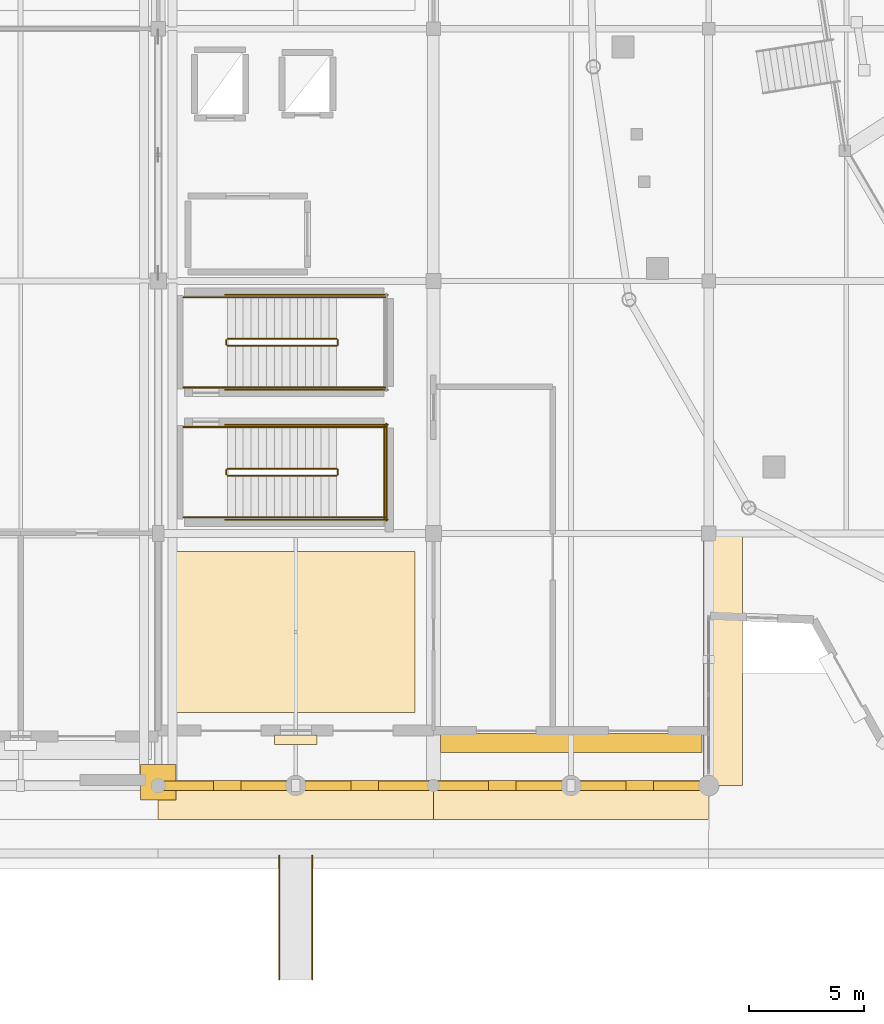
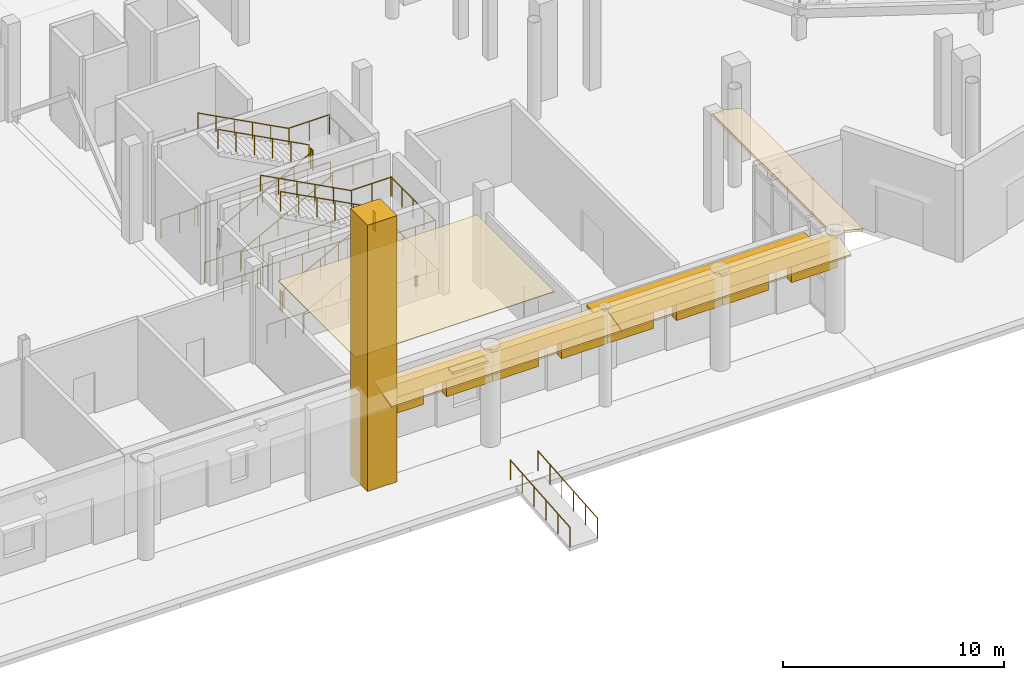
# One storey, part 96 of 120: 28 railings, 18 coverings, 1 shading device.
"""IFC4 building model written with IfcOpenShell, lengths in metres."""

from ifc_helpers import new_model, si_unit, direction, frame, origin, origin_2d, place, context, subcontext, project, spatial, polyline, rectangle, circle, outline, extrude, material, layer, layer_set, type_object, element, save


model = new_model("IFC4")

# Units and contexts
model_context = context("Model", 3, precision=1e-05, world=origin(), true_north=direction((0.0, 1.0)))
body_context = subcontext(model_context, "Body", "Model", "MODEL_VIEW")
ifc_project = project(units=[si_unit("LENGTHUNIT", "METRE"), si_unit("AREAUNIT", "SQUARE_METRE"), si_unit("VOLUMEUNIT", "CUBIC_METRE"), si_unit("PLANEANGLEUNIT", "RADIAN"), si_unit("MASSUNIT", "GRAM", prefix="KILO")], contexts=[model_context])

# Site, building, storey
site_placement = place(None, origin())
site = spatial("IfcSite", under=ifc_project, at=site_placement, CompositionType="ELEMENT")
building_placement = place(site_placement, origin())
building = spatial("IfcBuilding", under=site, at=building_placement, Name="Luwafu Chhajja Arena", CompositionType="ELEMENT")
storey_placement = place(building_placement, origin())
storey = spatial("IfcBuildingStorey", under=building, at=storey_placement, Name="L00", CompositionType="ELEMENT", Elevation=0.0)

# Coverings
ifc_material_1 = material(Name="Red laterite sandstone cladding", Category="masonry")
ifc_layer_1 = layer(ifc_material_1, 0.074951171875, Name="Red laterite sandstone cladding")
ifc_layer_set_1 = layer_set([ifc_layer_1], Name="Red laterite sandstone cladding")
covering_type_1 = type_object("IfcCoveringType", Name="Dressed Red-Laterite Sandstone Cladding", PredefinedType="CLADDING", material=ifc_layer_set_1)
covering_1_placement = place(storey_placement, frame((34.0, 0.14990234375, 0.0), z_axis=(0.0, 0.0, 1.0), x_axis=(1.0, 0.0, 0.0)))
element("IfcCovering", 1, at=covering_1_placement, inside=storey, type_object=covering_type_1, Name="Pishtaq E Guldasta Sandstone Corner Pilaster", PredefinedType="CLADDING", context=body_context, shape_type="SweptSolid", body=[
    extrude(rectangle(XDim=1.550048828125, YDim=1.550048828125, at=origin_2d()), origin(), (0.0, 0.0, 1.0), 14.699951171875),
])
covering_2_placement = place(storey_placement, frame((37.0, 0.0, 4.33984375), z_axis=(0.0, 0.0, 1.0), x_axis=(1.0, 0.0, 0.0)))
element("IfcCovering", 2, at=covering_2_placement, inside=storey, type_object=covering_type_1, Name="L00 Mughal Riwaq Arcade Arch Frieze SLW-01", PredefinedType="CLADDING", context=body_context, shape_type="SweptSolid", body=[
    extrude(rectangle(XDim=6.0, YDim=0.43994140625, at=origin_2d()), origin(), (0.0, 0.0, 1.0), 0.719970703125),
])
for number, where, z_axis, x_axis, name in (
    (3, (35.199951171875, 0.0, 3.43994140625), (0.0, 0.0, 1.0), (1.0, 0.0, 0.0), "L00 Mughal Riwaq Corbelled Arch Haunch SLW-01A"),
    (4, (38.800048828125, 0.0, 3.43994140625), (0.0, 0.0, 1.0), (1.0, 0.0, 0.0), "L00 Mughal Riwaq Corbelled Arch Haunch SLW-01B"),
):
    element("IfcCovering", number, at=place(storey_placement, frame(where, z_axis=z_axis, x_axis=x_axis)), inside=storey, type_object=covering_type_1, Name=name, PredefinedType="CLADDING", context=body_context, shape_type="SweptSolid", body=[
        extrude(rectangle(XDim=2.39990234375, YDim=0.39990234375, at=origin_2d()), origin(), (0.0, 0.0, 1.0), 0.9599609375),
    ])
covering_3_placement = place(storey_placement, frame((43.0, 0.0, 4.33984375), z_axis=(0.0, 0.0, 1.0), x_axis=(1.0, 0.0, 0.0)))
element("IfcCovering", 5, at=covering_3_placement, inside=storey, type_object=covering_type_1, Name="L00 Mughal Riwaq Arcade Arch Frieze SLW-02", PredefinedType="CLADDING", context=body_context, shape_type="SweptSolid", body=[
    extrude(rectangle(XDim=6.0, YDim=0.43994140625, at=origin_2d()), origin(), (0.0, 0.0, 1.0), 0.719970703125),
])
for number, where, z_axis, x_axis, name in (
    (6, (41.199951171875, 0.0, 3.43994140625), (0.0, 0.0, 1.0), (1.0, 0.0, 0.0), "L00 Mughal Riwaq Corbelled Arch Haunch SLW-02A"),
    (7, (44.800048828125, 0.0, 3.43994140625), (0.0, 0.0, 1.0), (1.0, 0.0, 0.0), "L00 Mughal Riwaq Corbelled Arch Haunch SLW-02B"),
):
    element("IfcCovering", number, at=place(storey_placement, frame(where, z_axis=z_axis, x_axis=x_axis)), inside=storey, type_object=covering_type_1, Name=name, PredefinedType="CLADDING", context=body_context, shape_type="SweptSolid", body=[
        extrude(rectangle(XDim=2.39990234375, YDim=0.39990234375, at=origin_2d()), origin(), (0.0, 0.0, 1.0), 0.9599609375),
    ])
covering_4_placement = place(storey_placement, frame((49.0, 0.0, 4.33984375), z_axis=(0.0, 0.0, 1.0), x_axis=(1.0, 0.0, 0.0)))
element("IfcCovering", 8, at=covering_4_placement, inside=storey, type_object=covering_type_1, Name="L00 Mughal Riwaq Arcade Arch Frieze SLW-03", PredefinedType="CLADDING", context=body_context, shape_type="SweptSolid", body=[
    extrude(rectangle(XDim=6.0, YDim=0.43994140625, at=origin_2d()), origin(), (0.0, 0.0, 1.0), 0.719970703125),
])
for number, where, z_axis, x_axis, name in (
    (9, (47.199951171875, 0.0, 3.43994140625), (0.0, 0.0, 1.0), (1.0, 0.0, 0.0), "L00 Mughal Riwaq Corbelled Arch Haunch SLW-03A"),
    (10, (50.800048828125, 0.0, 3.43994140625), (0.0, 0.0, 1.0), (1.0, 0.0, 0.0), "L00 Mughal Riwaq Corbelled Arch Haunch SLW-03B"),
):
    element("IfcCovering", number, at=place(storey_placement, frame(where, z_axis=z_axis, x_axis=x_axis)), inside=storey, type_object=covering_type_1, Name=name, PredefinedType="CLADDING", context=body_context, shape_type="SweptSolid", body=[
        extrude(rectangle(XDim=2.39990234375, YDim=0.39990234375, at=origin_2d()), origin(), (0.0, 0.0, 1.0), 0.9599609375),
    ])
covering_5_placement = place(storey_placement, frame((55.0, 0.0, 4.33984375), z_axis=(0.0, 0.0, 1.0), x_axis=(1.0, 0.0, 0.0)))
element("IfcCovering", 11, at=covering_5_placement, inside=storey, type_object=covering_type_1, Name="L00 Mughal Riwaq Arcade Arch Frieze SLW-04", PredefinedType="CLADDING", context=body_context, shape_type="SweptSolid", body=[
    extrude(rectangle(XDim=6.0, YDim=0.43994140625, at=origin_2d()), origin(), (0.0, 0.0, 1.0), 0.719970703125),
])
for number, where, z_axis, x_axis, name in (
    (12, (53.199951171875, 0.0, 3.43994140625), (0.0, 0.0, 1.0), (1.0, 0.0, 0.0), "L00 Mughal Riwaq Corbelled Arch Haunch SLW-04A"),
    (13, (56.800048828125, 0.0, 3.43994140625), (0.0, 0.0, 1.0), (1.0, 0.0, 0.0), "L00 Mughal Riwaq Corbelled Arch Haunch SLW-04B"),
):
    element("IfcCovering", number, at=place(storey_placement, frame(where, z_axis=z_axis, x_axis=x_axis)), inside=storey, type_object=covering_type_1, Name=name, PredefinedType="CLADDING", context=body_context, shape_type="SweptSolid", body=[
        extrude(rectangle(XDim=2.39990234375, YDim=0.39990234375, at=origin_2d()), origin(), (0.0, 0.0, 1.0), 0.9599609375),
    ])
for number, where, z_axis, x_axis, name in (
    (14, (34.0, 0.199951171875, 5.360107421875), (0.0, -0.242635142566, 0.970117615339), (1.0, 0.0, 0.0), "L00 Continuous Sloped Sandstone Chhajja Eave 0016"),
    (15, (46.0, 0.199951171875, 5.360107421875), (0.0, -0.242635142566, 0.970117615339), (1.0, 0.0, 0.0), "L00 Continuous Sloped Sandstone Chhajja Eave 0021"),
):
    element("IfcCovering", number, at=place(storey_placement, frame(where, z_axis=z_axis, x_axis=x_axis)), inside=storey, type_object=covering_type_1, Name=name, PredefinedType="CLADDING", context=body_context, shape_type="SweptSolid", body=[
        extrude(outline(polyline([(0.0, 0.0), (12.0, 0.0), (12.0, -1.7316783182390405), (0.0, -1.7316783182390405), (0.0, 0.0)])), origin(), (0.0, 0.0, -1.0), 0.1298828125),
    ])
covering_6_placement = place(storey_placement, frame((57.800048828125, 0.0, 5.360107421875), z_axis=(0.242635142566, 0.0, 0.970117615339), x_axis=(0.0, 1.0, 0.0)))
element("IfcCovering", 16, at=covering_6_placement, inside=storey, type_object=covering_type_1, Name="L00 Continuous Sloped Sandstone Chhajja Eave 0022", PredefinedType="CLADDING", context=body_context, shape_type="SweptSolid", body=[
    extrude(outline(polyline([(0.0, 0.0), (11.0, 0.0), (11.0, -1.7316783182390405), (0.0, -1.7316783182390405), (0.0, 0.0)])), origin(), (0.0, 0.0, -1.0), 0.1298828125),
])
covering_7_placement = place(storey_placement, frame((40.0, 2.0, 2.93017578125), z_axis=(0.0, 0.0, 1.0), x_axis=(1.0, 0.0, 0.0)))
element("IfcCovering", 17, at=covering_7_placement, inside=storey, type_object=covering_type_1, Name="L00 Mughal Sandstone Window Chhajja Hood 0153", PredefinedType="CLADDING", context=body_context, shape_type="SweptSolid", body=[
    extrude(rectangle(XDim=1.85009765625, YDim=0.419921875, at=origin_2d()), origin(), (0.0, 0.0, 1.0), 0.139892578125),
])
ifc_material_2 = material(Name="Acoustic gypsum ceiling board")
ifc_layer_2 = layer(ifc_material_2, 0.0400390625, Name="Acoustic gypsum ceiling board")
ifc_layer_set_2 = layer_set([ifc_layer_2], Name="Acoustic gypsum ceiling board")
covering_type_2 = type_object("IfcCoveringType", Name="Perforated Acoustic Baffle Ceiling", PredefinedType="CEILING", material=ifc_layer_set_2)
covering_8_placement = place(storey_placement, frame((0.0, 0.0, 4.499267578125)))
element("IfcCovering", 18, at=covering_8_placement, inside=storey, type_object=covering_type_2, Name="L00 Acoustic Baffle Ceiling 004", PredefinedType="CEILING", context=body_context, shape_type="SweptSolid", body=[
    extrude(outline(polyline([(34.800048828125, 3.199951171875), (45.199951171875, 3.199951171875), (45.199951171875, 10.199951171875), (34.800048828125, 10.199951171875), (34.800048828125, 3.199951171875)])), origin(), (0.0, 0.0, 1.0), 0.0400390625),
])

# Shading device
ifc_material_3 = material(Name="Red laterite sandstone chhajja", Category="masonry")
ifc_layer_3 = layer(ifc_material_3, 0.1201171875, Name="Red laterite sandstone chhajja")
ifc_layer_set_3 = layer_set([ifc_layer_3], Name="Red laterite sandstone chhajja")
shading_device_type = type_object("IfcShadingDeviceType", Name="Sloped Red-Sandstone Chhajja Eave", PredefinedType="USERDEFINED", material=ifc_layer_set_3)
shading_device_placement = place(storey_placement, frame((52.0, 1.860107421875, 3.8798828125), z_axis=(0.0, 0.0, 1.0), x_axis=(1.0, 0.0, 0.0)))
element("IfcShadingDevice", 19, at=shading_device_placement, inside=storey, type_object=shading_device_type, Name="L00 Sloped Red-Sandstone Chhajja Eave 011", ObjectType="CHHAJJA", PredefinedType="USERDEFINED", context=body_context, shape_type="SweptSolid", body=[
    extrude(rectangle(XDim=11.39990234375, YDim=0.820068359375, at=origin_2d()), origin(), (0.0, 0.0, 1.0), 0.1201171875),
])

# Railings
ifc_material_4 = material(Name="Stainless steel handrail", Category="steel")
railing_type_1 = type_object("IfcRailingType", Name="Stair Pitch Wall Handrail 920", PredefinedType="HANDRAIL", material=ifc_material_4)
railing_1_placement = place(storey_placement, frame((37.02001953125, 11.699951171875, 0.179931640625)))
element("IfcRailing", 20, at=railing_1_placement, inside=storey, type_object=railing_type_1, Name="L00 ST-01 stair handrail 1", PredefinedType="HANDRAIL", context=body_context, shape_type="SweptSolid", body=[
    extrude(circle(Radius=0.02392578125, at=origin_2d()), frame((0.0, 0.0, 0.8759765625), z_axis=(0.883786813738, 0.0, 0.467889803119), x_axis=(0.0, 1.0, 0.0)), (0.0, 0.0, 1.0), 5.385986328125),
    extrude(circle(Radius=0.02099609375, at=origin_2d()), origin(), (0.0, 0.0, 1.0), 0.851806640625),
    extrude(circle(Radius=0.02099609375, at=origin_2d()), frame((0.951904296875, 0.0, 0.50390625)), (0.0, 0.0, 1.0), 0.851806640625),
    extrude(circle(Radius=0.02099609375, at=origin_2d()), frame((1.904052734375, 0.0, 1.008056640625)), (0.0, 0.0, 1.0), 0.851806640625),
    extrude(circle(Radius=0.02099609375, at=origin_2d()), frame((2.85595703125, 0.0, 1.511962890625)), (0.0, 0.0, 1.0), 0.851806640625),
    extrude(circle(Radius=0.02099609375, at=origin_2d()), frame((3.80810546875, 0.0, 2.01611328125)), (0.0, 0.0, 1.0), 0.851806640625),
    extrude(circle(Radius=0.02099609375, at=origin_2d()), frame((4.760009765625, 0.0, 2.52001953125)), (0.0, 0.0, 1.0), 0.851806640625),
])
railing_2_placement = place(storey_placement, frame((41.780029296875, 15.639892578125, 2.8798828125)))
element("IfcRailing", 21, at=railing_2_placement, inside=storey, type_object=railing_type_1, Name="L00 ST-01 stair handrail 2", PredefinedType="HANDRAIL", context=body_context, shape_type="SweptSolid", body=[
    extrude(circle(Radius=0.02392578125, at=origin_2d()), frame((0.0, 0.0, 0.8759765625), z_axis=(-0.883786813738, 0.0, 0.467889803119), x_axis=(0.0, -1.0, 0.0)), (0.0, 0.0, 1.0), 5.385986328125),
    extrude(circle(Radius=0.02099609375, at=origin_2d()), origin(), (0.0, 0.0, 1.0), 0.851806640625),
    extrude(circle(Radius=0.02099609375, at=origin_2d()), frame((-0.951904296875, 0.0, 0.50390625)), (0.0, 0.0, 1.0), 0.851806640625),
    extrude(circle(Radius=0.02099609375, at=origin_2d()), frame((-1.904052734375, 0.0, 1.008056640625)), (0.0, 0.0, 1.0), 0.851806640625),
    extrude(circle(Radius=0.02099609375, at=origin_2d()), frame((-2.85595703125, 0.0, 1.511962890625)), (0.0, 0.0, 1.0), 0.851806640625),
    extrude(circle(Radius=0.02099609375, at=origin_2d()), frame((-3.80810546875, 0.0, 2.01611328125)), (0.0, 0.0, 1.0), 0.851806640625),
    extrude(circle(Radius=0.02099609375, at=origin_2d()), frame((-4.760009765625, 0.0, 2.52001953125)), (0.0, 0.0, 1.0), 0.851806640625),
])
railing_3_placement = place(storey_placement, frame((37.02001953125, 17.360107421875, 0.179931640625)))
element("IfcRailing", 22, at=railing_3_placement, inside=storey, type_object=railing_type_1, Name="L00 ST-02 stair handrail 1", PredefinedType="HANDRAIL", context=body_context, shape_type="SweptSolid", body=[
    extrude(circle(Radius=0.02392578125, at=origin_2d()), frame((0.0, 0.0, 0.8759765625), z_axis=(0.883786813738, 0.0, 0.467889803119), x_axis=(0.0, 1.0, 0.0)), (0.0, 0.0, 1.0), 5.385986328125),
    extrude(circle(Radius=0.02099609375, at=origin_2d()), origin(), (0.0, 0.0, 1.0), 0.851806640625),
    extrude(circle(Radius=0.02099609375, at=origin_2d()), frame((0.951904296875, 0.0, 0.50390625)), (0.0, 0.0, 1.0), 0.851806640625),
    extrude(circle(Radius=0.02099609375, at=origin_2d()), frame((1.904052734375, 0.0, 1.008056640625)), (0.0, 0.0, 1.0), 0.851806640625),
    extrude(circle(Radius=0.02099609375, at=origin_2d()), frame((2.85595703125, 0.0, 1.511962890625)), (0.0, 0.0, 1.0), 0.851806640625),
    extrude(circle(Radius=0.02099609375, at=origin_2d()), frame((3.80810546875, 0.0, 2.01611328125)), (0.0, 0.0, 1.0), 0.851806640625),
    extrude(circle(Radius=0.02099609375, at=origin_2d()), frame((4.760009765625, 0.0, 2.52001953125)), (0.0, 0.0, 1.0), 0.851806640625),
])
railing_4_placement = place(storey_placement, frame((41.780029296875, 21.300048828125, 2.8798828125)))
element("IfcRailing", 23, at=railing_4_placement, inside=storey, type_object=railing_type_1, Name="L00 ST-02 stair handrail 2", PredefinedType="HANDRAIL", context=body_context, shape_type="SweptSolid", body=[
    extrude(circle(Radius=0.02392578125, at=origin_2d()), frame((0.0, 0.0, 0.8759765625), z_axis=(-0.883786813738, 0.0, 0.467889803119), x_axis=(0.0, -1.0, 0.0)), (0.0, 0.0, 1.0), 5.385986328125),
    extrude(circle(Radius=0.02099609375, at=origin_2d()), origin(), (0.0, 0.0, 1.0), 0.851806640625),
    extrude(circle(Radius=0.02099609375, at=origin_2d()), frame((-0.951904296875, 0.0, 0.50390625)), (0.0, 0.0, 1.0), 0.851806640625),
    extrude(circle(Radius=0.02099609375, at=origin_2d()), frame((-1.904052734375, 0.0, 1.008056640625)), (0.0, 0.0, 1.0), 0.851806640625),
    extrude(circle(Radius=0.02099609375, at=origin_2d()), frame((-2.85595703125, 0.0, 1.511962890625)), (0.0, 0.0, 1.0), 0.851806640625),
    extrude(circle(Radius=0.02099609375, at=origin_2d()), frame((-3.80810546875, 0.0, 2.01611328125)), (0.0, 0.0, 1.0), 0.851806640625),
    extrude(circle(Radius=0.02099609375, at=origin_2d()), frame((-4.760009765625, 0.0, 2.52001953125)), (0.0, 0.0, 1.0), 0.851806640625),
])
ifc_material_5 = material(Name="Stainless steel balustrade", Category="steel")
railing_type_2 = type_object("IfcRailingType", Name="Stair and Terrace Guard Balustrade 1100", PredefinedType="BALUSTRADE", material=ifc_material_5)
railing_5_placement = place(storey_placement, frame((37.02001953125, 13.52001953125, 0.179931640625)))
element("IfcRailing", 24, at=railing_5_placement, inside=storey, type_object=railing_type_2, Name="L00 ST-01 stair guard 1", PredefinedType="BALUSTRADE", context=body_context, shape_type="SweptSolid", body=[
    extrude(circle(Radius=0.02392578125, at=origin_2d()), frame((0.0, 0.0, 1.076171875), z_axis=(0.883786813738, 0.0, 0.467889803119), x_axis=(0.0, 1.0, 0.0)), (0.0, 0.0, 1.0), 5.385986328125),
    extrude(circle(Radius=0.02099609375, at=origin_2d()), origin(), (0.0, 0.0, 1.0), 1.052001953125),
    extrude(circle(Radius=0.02099609375, at=origin_2d()), frame((0.951904296875, 0.0, 0.50390625)), (0.0, 0.0, 1.0), 1.052001953125),
    extrude(circle(Radius=0.02099609375, at=origin_2d()), frame((1.904052734375, 0.0, 1.008056640625)), (0.0, 0.0, 1.0), 1.052001953125),
    extrude(circle(Radius=0.02099609375, at=origin_2d()), frame((2.85595703125, 0.0, 1.511962890625)), (0.0, 0.0, 1.0), 1.052001953125),
    extrude(circle(Radius=0.02099609375, at=origin_2d()), frame((3.80810546875, 0.0, 2.01611328125)), (0.0, 0.0, 1.0), 1.052001953125),
    extrude(circle(Radius=0.02099609375, at=origin_2d()), frame((4.760009765625, 0.0, 2.52001953125)), (0.0, 0.0, 1.0), 1.052001953125),
])
railing_6_placement = place(storey_placement, frame((41.830078125, 13.570068359375, 2.699951171875)))
element("IfcRailing", 25, at=railing_6_placement, inside=storey, type_object=railing_type_2, Name="L00 ST-01 stair guard 2", PredefinedType="BALUSTRADE", context=body_context, shape_type="SweptSolid", body=[
    extrude(circle(Radius=0.02392578125, at=origin_2d()), frame((0.0, 0.0, 1.076171875), z_axis=(0.0, 1.0, 0.0), x_axis=(-1.0, 0.0, 0.0)), (0.0, 0.0, 1.0), 0.199951171875),
    extrude(circle(Radius=0.02099609375, at=origin_2d()), origin(), (0.0, 0.0, 1.0), 1.052001953125),
    extrude(circle(Radius=0.02099609375, at=origin_2d()), frame((0.0, 0.199951171875, 0.0)), (0.0, 0.0, 1.0), 1.052001953125),
])
for number, where, name in (
    (26, (41.780029296875, 11.699951171875, 2.699951171875), "L00 ST-01 stair guard 3"),
    (27, (41.780029296875, 15.639892578125, 2.699951171875), "L00 ST-01 stair guard 4"),
):
    element("IfcRailing", number, at=place(storey_placement, frame(where)), inside=storey, type_object=railing_type_2, Name=name, PredefinedType="BALUSTRADE", context=body_context, shape_type="SweptSolid", body=[
        extrude(circle(Radius=0.02392578125, at=origin_2d()), frame((0.0, 0.0, 1.076171875), z_axis=(1.0, 0.0, 0.0), x_axis=(0.0, 1.0, 0.0)), (0.0, 0.0, 1.0), 2.119873046875),
        extrude(circle(Radius=0.02099609375, at=origin_2d()), origin(), (0.0, 0.0, 1.0), 1.052001953125),
        extrude(circle(Radius=0.02099609375, at=origin_2d()), frame((1.06005859375, 0.0, 0.0)), (0.0, 0.0, 1.0), 1.052001953125),
        extrude(circle(Radius=0.02099609375, at=origin_2d()), frame((2.119873046875, 0.0, 0.0)), (0.0, 0.0, 1.0), 1.052001953125),
    ])
railing_7_placement = place(storey_placement, frame((43.85009765625, 11.64990234375, 2.699951171875)))
element("IfcRailing", 28, at=railing_7_placement, inside=storey, type_object=railing_type_2, Name="L00 ST-01 stair guard 5", PredefinedType="BALUSTRADE", context=body_context, shape_type="SweptSolid", body=[
    extrude(circle(Radius=0.02392578125, at=origin_2d()), frame((0.0, 0.0, 1.076171875), z_axis=(0.0, 1.0, 0.0), x_axis=(-1.0, 0.0, 0.0)), (0.0, 0.0, 1.0), 4.0400390625),
    extrude(circle(Radius=0.02099609375, at=origin_2d()), origin(), (0.0, 0.0, 1.0), 1.052001953125),
    extrude(circle(Radius=0.02099609375, at=origin_2d()), frame((0.0, 1.010009765625, 0.0)), (0.0, 0.0, 1.0), 1.052001953125),
    extrude(circle(Radius=0.02099609375, at=origin_2d()), frame((0.0, 2.02001953125, 0.0)), (0.0, 0.0, 1.0), 1.052001953125),
    extrude(circle(Radius=0.02099609375, at=origin_2d()), frame((0.0, 3.030029296875, 0.0)), (0.0, 0.0, 1.0), 1.052001953125),
    extrude(circle(Radius=0.02099609375, at=origin_2d()), frame((0.0, 4.0400390625, 0.0)), (0.0, 0.0, 1.0), 1.052001953125),
])
railing_8_placement = place(storey_placement, frame((41.780029296875, 13.820068359375, 2.8798828125)))
element("IfcRailing", 29, at=railing_8_placement, inside=storey, type_object=railing_type_2, Name="L00 ST-01 stair guard 6", PredefinedType="BALUSTRADE", context=body_context, shape_type="SweptSolid", body=[
    extrude(circle(Radius=0.02392578125, at=origin_2d()), frame((0.0, 0.0, 1.076171875), z_axis=(-0.883786813738, 0.0, 0.467889803119), x_axis=(0.0, -1.0, 0.0)), (0.0, 0.0, 1.0), 5.385986328125),
    extrude(circle(Radius=0.02099609375, at=origin_2d()), origin(), (0.0, 0.0, 1.0), 1.052001953125),
    extrude(circle(Radius=0.02099609375, at=origin_2d()), frame((-0.951904296875, 0.0, 0.50390625)), (0.0, 0.0, 1.0), 1.052001953125),
    extrude(circle(Radius=0.02099609375, at=origin_2d()), frame((-1.904052734375, 0.0, 1.008056640625)), (0.0, 0.0, 1.0), 1.052001953125),
    extrude(circle(Radius=0.02099609375, at=origin_2d()), frame((-2.85595703125, 0.0, 1.511962890625)), (0.0, 0.0, 1.0), 1.052001953125),
    extrude(circle(Radius=0.02099609375, at=origin_2d()), frame((-3.80810546875, 0.0, 2.01611328125)), (0.0, 0.0, 1.0), 1.052001953125),
    extrude(circle(Radius=0.02099609375, at=origin_2d()), frame((-4.760009765625, 0.0, 2.52001953125)), (0.0, 0.0, 1.0), 1.052001953125),
])
railing_9_placement = place(storey_placement, frame((36.969970703125, 13.570068359375, 0.0)))
element("IfcRailing", 30, at=railing_9_placement, inside=storey, type_object=railing_type_2, Name="L00 ST-01 stair guard 7", PredefinedType="BALUSTRADE", context=body_context, shape_type="SweptSolid", body=[
    extrude(circle(Radius=0.02392578125, at=origin_2d()), frame((0.0, 0.0, 1.076171875), z_axis=(0.0, 1.0, 0.0), x_axis=(-1.0, 0.0, 0.0)), (0.0, 0.0, 1.0), 0.199951171875),
    extrude(circle(Radius=0.02099609375, at=origin_2d()), origin(), (0.0, 0.0, 1.0), 1.052001953125),
    extrude(circle(Radius=0.02099609375, at=origin_2d()), frame((0.0, 0.199951171875, 0.0)), (0.0, 0.0, 1.0), 1.052001953125),
])
for number, where, name in (
    (31, (35.10009765625, 11.699951171875, 0.0), "L00 ST-01 stair guard 8"),
    (32, (35.10009765625, 15.639892578125, 0.0), "L00 ST-01 stair guard 9"),
):
    element("IfcRailing", number, at=place(storey_placement, frame(where)), inside=storey, type_object=railing_type_2, Name=name, PredefinedType="BALUSTRADE", context=body_context, shape_type="SweptSolid", body=[
        extrude(circle(Radius=0.02392578125, at=origin_2d()), frame((0.0, 0.0, 1.076171875), z_axis=(1.0, 0.0, 0.0), x_axis=(0.0, 1.0, 0.0)), (0.0, 0.0, 1.0), 1.919921875),
        extrude(circle(Radius=0.02099609375, at=origin_2d()), origin(), (0.0, 0.0, 1.0), 1.052001953125),
        extrude(circle(Radius=0.02099609375, at=origin_2d()), frame((0.9599609375, 0.0, 0.0)), (0.0, 0.0, 1.0), 1.052001953125),
        extrude(circle(Radius=0.02099609375, at=origin_2d()), frame((1.919921875, 0.0, 0.0)), (0.0, 0.0, 1.0), 1.052001953125),
    ])
for number, where, name in (
    (33, (36.919921875, 11.60009765625, 0.0), "L00 ST-01 stair guard 10"),
    (34, (36.919921875, 15.739990234375, 0.0), "L00 ST-01 stair guard 11"),
):
    element("IfcRailing", number, at=place(storey_placement, frame(where)), inside=storey, type_object=railing_type_2, Name=name, PredefinedType="BALUSTRADE", context=body_context, shape_type="SweptSolid", body=[
        extrude(circle(Radius=0.02392578125, at=origin_2d()), frame((0.0, 0.0, 1.076171875), z_axis=(1.0, 0.0, 0.0), x_axis=(0.0, 1.0, 0.0)), (0.0, 0.0, 1.0), 7.080078125),
        extrude(circle(Radius=0.02099609375, at=origin_2d()), origin(), (0.0, 0.0, 1.0), 1.052001953125),
        extrude(circle(Radius=0.02099609375, at=origin_2d()), frame((1.179931640625, 0.0, 0.0)), (0.0, 0.0, 1.0), 1.052001953125),
        extrude(circle(Radius=0.02099609375, at=origin_2d()), frame((2.360107421875, 0.0, 0.0)), (0.0, 0.0, 1.0), 1.052001953125),
        extrude(circle(Radius=0.02099609375, at=origin_2d()), frame((3.5400390625, 0.0, 0.0)), (0.0, 0.0, 1.0), 1.052001953125),
        extrude(circle(Radius=0.02099609375, at=origin_2d()), frame((4.719970703125, 0.0, 0.0)), (0.0, 0.0, 1.0), 1.052001953125),
        extrude(circle(Radius=0.02099609375, at=origin_2d()), frame((5.900146484375, 0.0, 0.0)), (0.0, 0.0, 1.0), 1.052001953125),
        extrude(circle(Radius=0.02099609375, at=origin_2d()), frame((7.080078125, 0.0, 0.0)), (0.0, 0.0, 1.0), 1.052001953125),
    ])
railing_10_placement = place(storey_placement, frame((43.949951171875, 11.550048828125, 0.0)))
element("IfcRailing", 35, at=railing_10_placement, inside=storey, type_object=railing_type_2, Name="L00 ST-01 stair guard 12", PredefinedType="BALUSTRADE", context=body_context, shape_type="SweptSolid", body=[
    extrude(circle(Radius=0.02392578125, at=origin_2d()), frame((0.0, 0.0, 1.076171875), z_axis=(0.0, 1.0, 0.0), x_axis=(-1.0, 0.0, 0.0)), (0.0, 0.0, 1.0), 4.239990234375),
    extrude(circle(Radius=0.02099609375, at=origin_2d()), origin(), (0.0, 0.0, 1.0), 1.052001953125),
    extrude(circle(Radius=0.02099609375, at=origin_2d()), frame((0.0, 1.06005859375, 0.0)), (0.0, 0.0, 1.0), 1.052001953125),
    extrude(circle(Radius=0.02099609375, at=origin_2d()), frame((0.0, 2.1201171875, 0.0)), (0.0, 0.0, 1.0), 1.052001953125),
    extrude(circle(Radius=0.02099609375, at=origin_2d()), frame((0.0, 3.179931640625, 0.0)), (0.0, 0.0, 1.0), 1.052001953125),
    extrude(circle(Radius=0.02099609375, at=origin_2d()), frame((0.0, 4.239990234375, 0.0)), (0.0, 0.0, 1.0), 1.052001953125),
])
railing_11_placement = place(storey_placement, frame((37.02001953125, 19.179931640625, 0.179931640625)))
element("IfcRailing", 36, at=railing_11_placement, inside=storey, type_object=railing_type_2, Name="L00 ST-02 stair guard 1", PredefinedType="BALUSTRADE", context=body_context, shape_type="SweptSolid", body=[
    extrude(circle(Radius=0.02392578125, at=origin_2d()), frame((0.0, 0.0, 1.076171875), z_axis=(0.883786813738, 0.0, 0.467889803119), x_axis=(0.0, 1.0, 0.0)), (0.0, 0.0, 1.0), 5.385986328125),
    extrude(circle(Radius=0.02099609375, at=origin_2d()), origin(), (0.0, 0.0, 1.0), 1.052001953125),
    extrude(circle(Radius=0.02099609375, at=origin_2d()), frame((0.951904296875, 0.0, 0.50390625)), (0.0, 0.0, 1.0), 1.052001953125),
    extrude(circle(Radius=0.02099609375, at=origin_2d()), frame((1.904052734375, 0.0, 1.008056640625)), (0.0, 0.0, 1.0), 1.052001953125),
    extrude(circle(Radius=0.02099609375, at=origin_2d()), frame((2.85595703125, 0.0, 1.511962890625)), (0.0, 0.0, 1.0), 1.052001953125),
    extrude(circle(Radius=0.02099609375, at=origin_2d()), frame((3.80810546875, 0.0, 2.01611328125)), (0.0, 0.0, 1.0), 1.052001953125),
    extrude(circle(Radius=0.02099609375, at=origin_2d()), frame((4.760009765625, 0.0, 2.52001953125)), (0.0, 0.0, 1.0), 1.052001953125),
])
railing_12_placement = place(storey_placement, frame((41.830078125, 19.22998046875, 2.699951171875)))
element("IfcRailing", 37, at=railing_12_placement, inside=storey, type_object=railing_type_2, Name="L00 ST-02 stair guard 2", PredefinedType="BALUSTRADE", context=body_context, shape_type="SweptSolid", body=[
    extrude(circle(Radius=0.02392578125, at=origin_2d()), frame((0.0, 0.0, 1.076171875), z_axis=(0.0, 1.0, 0.0), x_axis=(-1.0, 0.0, 0.0)), (0.0, 0.0, 1.0), 0.199951171875),
    extrude(circle(Radius=0.02099609375, at=origin_2d()), origin(), (0.0, 0.0, 1.0), 1.052001953125),
    extrude(circle(Radius=0.02099609375, at=origin_2d()), frame((0.0, 0.199951171875, 0.0)), (0.0, 0.0, 1.0), 1.052001953125),
])
for number, where, name in (
    (38, (41.780029296875, 17.360107421875, 2.699951171875), "L00 ST-02 stair guard 3"),
    (39, (41.780029296875, 21.300048828125, 2.699951171875), "L00 ST-02 stair guard 4"),
):
    element("IfcRailing", number, at=place(storey_placement, frame(where)), inside=storey, type_object=railing_type_2, Name=name, PredefinedType="BALUSTRADE", context=body_context, shape_type="SweptSolid", body=[
        extrude(circle(Radius=0.02392578125, at=origin_2d()), frame((0.0, 0.0, 1.076171875), z_axis=(1.0, 0.0, 0.0), x_axis=(0.0, 1.0, 0.0)), (0.0, 0.0, 1.0), 2.119873046875),
        extrude(circle(Radius=0.02099609375, at=origin_2d()), origin(), (0.0, 0.0, 1.0), 1.052001953125),
        extrude(circle(Radius=0.02099609375, at=origin_2d()), frame((1.06005859375, 0.0, 0.0)), (0.0, 0.0, 1.0), 1.052001953125),
        extrude(circle(Radius=0.02099609375, at=origin_2d()), frame((2.119873046875, 0.0, 0.0)), (0.0, 0.0, 1.0), 1.052001953125),
    ])
railing_13_placement = place(storey_placement, frame((41.780029296875, 19.47998046875, 2.8798828125)))
element("IfcRailing", 40, at=railing_13_placement, inside=storey, type_object=railing_type_2, Name="L00 ST-02 stair guard 6", PredefinedType="BALUSTRADE", context=body_context, shape_type="SweptSolid", body=[
    extrude(circle(Radius=0.02392578125, at=origin_2d()), frame((0.0, 0.0, 1.076171875), z_axis=(-0.883786813738, 0.0, 0.467889803119), x_axis=(0.0, -1.0, 0.0)), (0.0, 0.0, 1.0), 5.385986328125),
    extrude(circle(Radius=0.02099609375, at=origin_2d()), origin(), (0.0, 0.0, 1.0), 1.052001953125),
    extrude(circle(Radius=0.02099609375, at=origin_2d()), frame((-0.951904296875, 0.0, 0.50390625)), (0.0, 0.0, 1.0), 1.052001953125),
    extrude(circle(Radius=0.02099609375, at=origin_2d()), frame((-1.904052734375, 0.0, 1.008056640625)), (0.0, 0.0, 1.0), 1.052001953125),
    extrude(circle(Radius=0.02099609375, at=origin_2d()), frame((-2.85595703125, 0.0, 1.511962890625)), (0.0, 0.0, 1.0), 1.052001953125),
    extrude(circle(Radius=0.02099609375, at=origin_2d()), frame((-3.80810546875, 0.0, 2.01611328125)), (0.0, 0.0, 1.0), 1.052001953125),
    extrude(circle(Radius=0.02099609375, at=origin_2d()), frame((-4.760009765625, 0.0, 2.52001953125)), (0.0, 0.0, 1.0), 1.052001953125),
])
railing_14_placement = place(storey_placement, frame((36.969970703125, 19.22998046875, 0.0)))
element("IfcRailing", 41, at=railing_14_placement, inside=storey, type_object=railing_type_2, Name="L00 ST-02 stair guard 7", PredefinedType="BALUSTRADE", context=body_context, shape_type="SweptSolid", body=[
    extrude(circle(Radius=0.02392578125, at=origin_2d()), frame((0.0, 0.0, 1.076171875), z_axis=(0.0, 1.0, 0.0), x_axis=(-1.0, 0.0, 0.0)), (0.0, 0.0, 1.0), 0.199951171875),
    extrude(circle(Radius=0.02099609375, at=origin_2d()), origin(), (0.0, 0.0, 1.0), 1.052001953125),
    extrude(circle(Radius=0.02099609375, at=origin_2d()), frame((0.0, 0.199951171875, 0.0)), (0.0, 0.0, 1.0), 1.052001953125),
])
for number, where, name in (
    (42, (35.10009765625, 17.360107421875, 0.0), "L00 ST-02 stair guard 8"),
    (43, (35.10009765625, 21.300048828125, 0.0), "L00 ST-02 stair guard 9"),
):
    element("IfcRailing", number, at=place(storey_placement, frame(where)), inside=storey, type_object=railing_type_2, Name=name, PredefinedType="BALUSTRADE", context=body_context, shape_type="SweptSolid", body=[
        extrude(circle(Radius=0.02392578125, at=origin_2d()), frame((0.0, 0.0, 1.076171875), z_axis=(1.0, 0.0, 0.0), x_axis=(0.0, 1.0, 0.0)), (0.0, 0.0, 1.0), 1.919921875),
        extrude(circle(Radius=0.02099609375, at=origin_2d()), origin(), (0.0, 0.0, 1.0), 1.052001953125),
        extrude(circle(Radius=0.02099609375, at=origin_2d()), frame((0.9599609375, 0.0, 0.0)), (0.0, 0.0, 1.0), 1.052001953125),
        extrude(circle(Radius=0.02099609375, at=origin_2d()), frame((1.919921875, 0.0, 0.0)), (0.0, 0.0, 1.0), 1.052001953125),
    ])
for number, where, name in (
    (44, (36.919921875, 17.260009765625, 0.0), "L00 ST-02 stair guard 10"),
    (45, (36.919921875, 21.39990234375, 0.0), "L00 ST-02 stair guard 11"),
):
    element("IfcRailing", number, at=place(storey_placement, frame(where)), inside=storey, type_object=railing_type_2, Name=name, PredefinedType="BALUSTRADE", context=body_context, shape_type="SweptSolid", body=[
        extrude(circle(Radius=0.02392578125, at=origin_2d()), frame((0.0, 0.0, 1.076171875), z_axis=(1.0, 0.0, 0.0), x_axis=(0.0, 1.0, 0.0)), (0.0, 0.0, 1.0), 7.080078125),
        extrude(circle(Radius=0.02099609375, at=origin_2d()), origin(), (0.0, 0.0, 1.0), 1.052001953125),
        extrude(circle(Radius=0.02099609375, at=origin_2d()), frame((1.179931640625, 0.0, 0.0)), (0.0, 0.0, 1.0), 1.052001953125),
        extrude(circle(Radius=0.02099609375, at=origin_2d()), frame((2.360107421875, 0.0, 0.0)), (0.0, 0.0, 1.0), 1.052001953125),
        extrude(circle(Radius=0.02099609375, at=origin_2d()), frame((3.5400390625, 0.0, 0.0)), (0.0, 0.0, 1.0), 1.052001953125),
        extrude(circle(Radius=0.02099609375, at=origin_2d()), frame((4.719970703125, 0.0, 0.0)), (0.0, 0.0, 1.0), 1.052001953125),
        extrude(circle(Radius=0.02099609375, at=origin_2d()), frame((5.900146484375, 0.0, 0.0)), (0.0, 0.0, 1.0), 1.052001953125),
        extrude(circle(Radius=0.02099609375, at=origin_2d()), frame((7.080078125, 0.0, 0.0)), (0.0, 0.0, 1.0), 1.052001953125),
    ])
for number, where, name in (
    (46, (39.280029296875, -8.449951171875, -0.449951171875), "Ramp RA-01 Guard L"),
    (47, (40.719970703125, -8.449951171875, -0.449951171875), "Ramp RA-01 Guard R"),
):
    element("IfcRailing", number, at=place(storey_placement, frame(where)), inside=storey, type_object=railing_type_2, Name=name, PredefinedType="BALUSTRADE", context=body_context, shape_type="SweptSolid", body=[
        extrude(circle(Radius=0.02392578125, at=origin_2d()), frame((0.0, 0.0, 1.09619140625), z_axis=(0.0, 0.996546379678, 0.083038022323), x_axis=(-1.0, 0.0, 0.0)), (0.0, 0.0, 1.0), 5.418701171875),
        extrude(circle(Radius=0.02099609375, at=origin_2d()), origin(), (0.0, 0.0, 1.0), 1.072021484375),
        extrude(circle(Radius=0.02099609375, at=origin_2d()), frame((0.0, 1.080078125, 0.090087890625)), (0.0, 0.0, 1.0), 1.072021484375),
        extrude(circle(Radius=0.02099609375, at=origin_2d()), frame((0.0, 2.159912109375, 0.179931640625)), (0.0, 0.0, 1.0), 1.072021484375),
        extrude(circle(Radius=0.02099609375, at=origin_2d()), frame((0.0, 3.239990234375, 0.27001953125)), (0.0, 0.0, 1.0), 1.072021484375),
        extrude(circle(Radius=0.02099609375, at=origin_2d()), frame((0.0, 4.31982421875, 0.35986328125)), (0.0, 0.0, 1.0), 1.072021484375),
        extrude(circle(Radius=0.02099609375, at=origin_2d()), frame((0.0, 5.39990234375, 0.449951171875)), (0.0, 0.0, 1.0), 1.072021484375),
    ])

save(model, "model.ifc")
